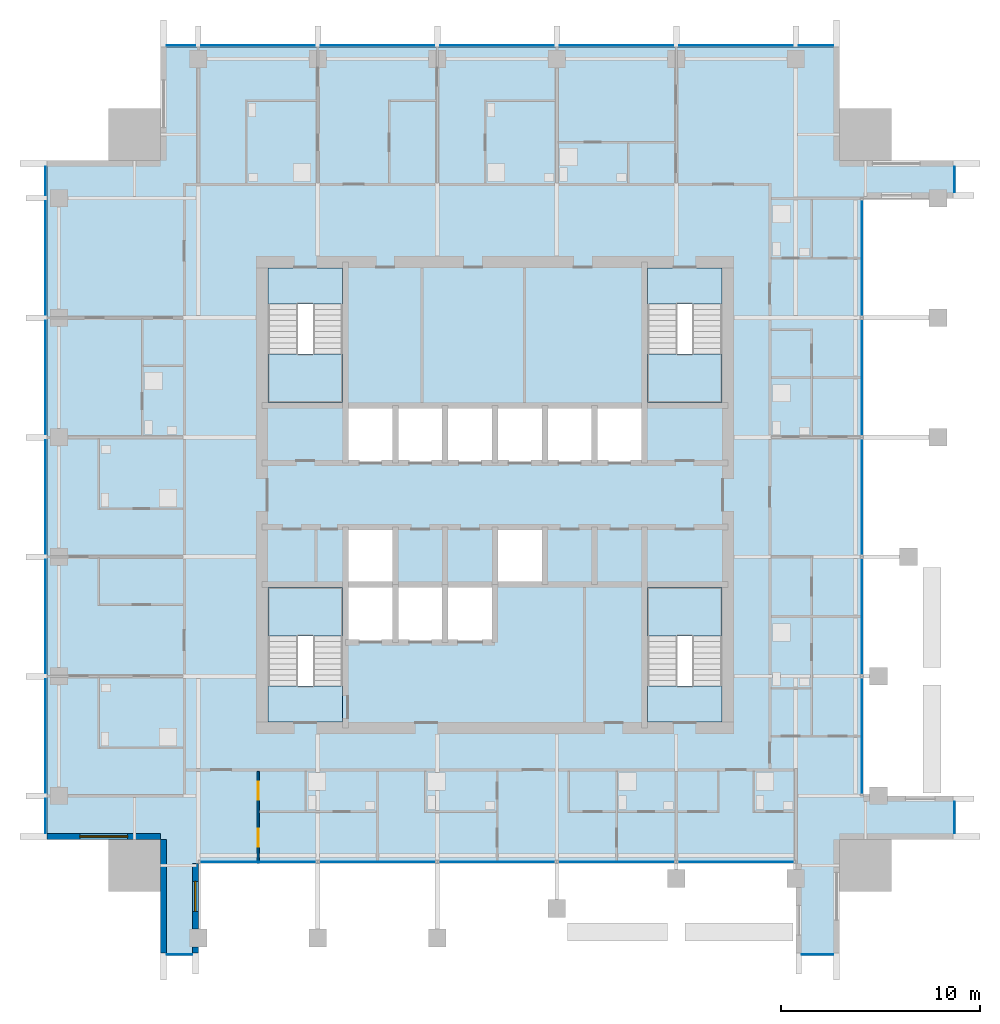
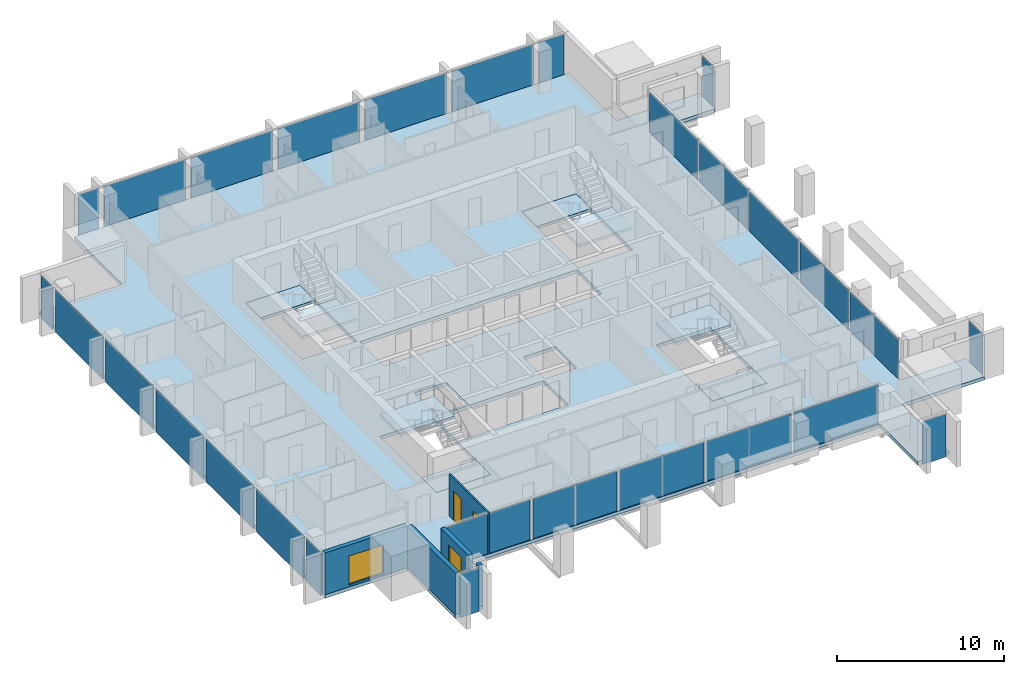
# One storey, part 7 of 14: 28 plates, 9 slabs, 5 walls, 2 doors, 2 windows, 4 openings, 20 elements without a shape of their own.
"""IFC4 building model written with IfcOpenShell, lengths in metres."""

from ifc_helpers import new_model, si_unit, direction, frame, frame_2d, origin, origin_2d, place, context, subcontext, project, spatial, polyline, rectangle, outline, extrude, material, layer, layer_set, type_object, element, fill, aggregate, save


model = new_model("IFC4")

# Units and contexts
model_context = context("Model", 3, precision=1e-05, world=origin(), true_north=direction((0.0, 1.0)))
body_context = subcontext(model_context, "Body", "Model", "MODEL_VIEW")
ifc_project = project(units=[si_unit("LENGTHUNIT", "METRE"), si_unit("AREAUNIT", "SQUARE_METRE"), si_unit("VOLUMEUNIT", "CUBIC_METRE"), si_unit("PLANEANGLEUNIT", "RADIAN"), si_unit("MASSUNIT", "GRAM", prefix="KILO")], contexts=[model_context])

# Site, building, storey
site_placement = place(None, origin())
site = spatial("IfcSite", under=ifc_project, at=site_placement, CompositionType="ELEMENT")
building_placement = place(site_placement, origin())
building = spatial("IfcBuilding", under=site, at=building_placement, Name="Amberfall Residences", CompositionType="ELEMENT")
storey_placement = place(building_placement, frame((0.0, 0.0, 220.0)))
storey = spatial("IfcBuildingStorey", under=building, at=storey_placement, Name="L59", CompositionType="ELEMENT", Elevation=220.0)

# Curtain wall, plate
ifc_material_1 = material(Name="Bronze anodised aluminium and glass", Category="aluminium")
curtain_wall_type_1 = type_object("IfcCurtainWallType", Name="Curtain wall CW1 tower unit", PredefinedType="USERDEFINED", material=ifc_material_1)
curtain_wall_1_placement = place(storey_placement, origin())
curtain_wall_1 = element("IfcCurtainWall", 1, at=curtain_wall_1_placement, inside=storey, type_object=curtain_wall_type_1, Name="Curtain wall L59 S S1", ObjectType="UNITISED CURTAIN WALL", PredefinedType="USERDEFINED")
ifc_material_2 = material(Name="Tinted double glazed unit", Category="glass")
ifc_layer_1 = layer(ifc_material_2, 0.035888671875)
ifc_layer_set_1 = layer_set([ifc_layer_1], Name="CW1 panel 36 glazing")
plate_type_1 = type_object("IfcPlateType", Name="CW1 panel 36 glazing", PredefinedType="CURTAIN_PANEL", material=ifc_layer_set_1)
plate_1_placement = place(storey_placement, frame((58.64990234375, 22.425048828125, -0.25), z_axis=(0.0, 0.0, 1.0), x_axis=(1.0, 0.0, 0.0)))
plate_1 = element("IfcPlate", 2, at=plate_1_placement, type_object=plate_type_1, Name="CW1 panel 1.1", PredefinedType="CURTAIN_PANEL", context=body_context, shape_type="SweptSolid", body=[
    extrude(rectangle(XDim=1.27587890625, YDim=0.035888671875, at=origin_2d()), origin(), (0.0, 0.0, 1.0), 3.14990234375),
])
aggregate(curtain_wall_1, [plate_1])

curtain_wall_2_placement = place(storey_placement, origin())
curtain_wall_2 = element("IfcCurtainWall", 3, at=curtain_wall_2_placement, inside=storey, type_object=curtain_wall_type_1, Name="Curtain wall L59 S S9", ObjectType="UNITISED CURTAIN WALL", PredefinedType="USERDEFINED")
plate_2_placement = place(storey_placement, frame((90.699951171875, 22.425048828125, -0.25), z_axis=(0.0, 0.0, 1.0), x_axis=(1.0, 0.0, 0.0)))
plate_2 = element("IfcPlate", 4, at=plate_2_placement, type_object=plate_type_1, Name="CW1 panel 1.1", PredefinedType="CURTAIN_PANEL", context=body_context, shape_type="SweptSolid", body=[
    extrude(rectangle(XDim=1.575927734375, YDim=0.035888671875, at=origin_2d()), origin(), (0.0, 0.0, 1.0), 3.14990234375),
])
aggregate(curtain_wall_2, [plate_2])

curtain_wall_3_placement = place(storey_placement, origin())
curtain_wall_3 = element("IfcCurtainWall", 5, at=curtain_wall_3_placement, inside=storey, type_object=curtain_wall_type_1, Name="Curtain wall L59 E E1", ObjectType="UNITISED CURTAIN WALL", PredefinedType="USERDEFINED")
plate_3_placement = place(storey_placement, frame((97.574951171875, 29.300048828125, -0.25), z_axis=(0.0, 0.0, 1.0), x_axis=(0.0, 1.0, 0.0)))
plate_3 = element("IfcPlate", 6, at=plate_3_placement, type_object=plate_type_1, Name="CW1 panel 1.1", PredefinedType="CURTAIN_PANEL", context=body_context, shape_type="SweptSolid", body=[
    extrude(rectangle(XDim=1.575927734375, YDim=0.035888671875, at=origin_2d()), origin(), (0.0, 0.0, 1.0), 3.14990234375),
])
aggregate(curtain_wall_3, [plate_3])

curtain_wall_4_placement = place(storey_placement, origin())
curtain_wall_4 = element("IfcCurtainWall", 7, at=curtain_wall_4_placement, inside=storey, type_object=curtain_wall_type_1, Name="Curtain wall L59 E E9", ObjectType="UNITISED CURTAIN WALL", PredefinedType="USERDEFINED")
plate_4_placement = place(storey_placement, frame((97.574951171875, 61.35009765625, -0.25), z_axis=(0.0, 0.0, 1.0), x_axis=(0.0, 1.0, 0.0)))
plate_4 = element("IfcPlate", 8, at=plate_4_placement, type_object=plate_type_1, Name="CW1 panel 1.1", PredefinedType="CURTAIN_PANEL", context=body_context, shape_type="SweptSolid", body=[
    extrude(rectangle(XDim=1.27587890625, YDim=0.035888671875, at=origin_2d()), origin(), (0.0, 0.0, 1.0), 3.14990234375),
])
aggregate(curtain_wall_4, [plate_4])

# Curtain wall, plates
curtain_wall_5_placement = place(storey_placement, origin())
curtain_wall_5 = element("IfcCurtainWall", 9, at=curtain_wall_5_placement, inside=storey, type_object=curtain_wall_type_1, Name="Curtain wall L59 N N1", ObjectType="UNITISED CURTAIN WALL", PredefinedType="USERDEFINED")
plate_5_placement = place(storey_placement, frame((90.625, 68.074951171875, -0.25), z_axis=(0.0, 0.0, 1.0), x_axis=(-1.0, 0.0, 0.0)))
plate_5 = element("IfcPlate", 10, at=plate_5_placement, type_object=plate_type_1, Name="CW1 panel 1.1", PredefinedType="CURTAIN_PANEL", context=body_context, shape_type="SweptSolid", body=[
    extrude(rectangle(XDim=1.72607421875, YDim=0.035888671875, at=origin_2d()), origin(), (0.0, 0.0, 1.0), 3.14990234375),
])
plate_6_placement = place(storey_placement, frame((86.60009765625, 68.074951171875, -0.25), z_axis=(0.0, 0.0, 1.0), x_axis=(-1.0, 0.0, 0.0)))
plate_6 = element("IfcPlate", 11, at=plate_6_placement, type_object=plate_type_1, Name="CW1 panel 2.1", PredefinedType="CURTAIN_PANEL", context=body_context, shape_type="SweptSolid", body=[
    extrude(rectangle(XDim=5.676025390625, YDim=0.035888671875, at=origin_2d()), origin(), (0.0, 0.0, 1.0), 3.14990234375),
])
plate_7_placement = place(storey_placement, frame((80.60009765625, 68.074951171875, -0.25), z_axis=(0.0, 0.0, 1.0), x_axis=(-1.0, 0.0, 0.0)))
plate_7 = element("IfcPlate", 12, at=plate_7_placement, type_object=plate_type_1, Name="CW1 panel 3.1", PredefinedType="CURTAIN_PANEL", context=body_context, shape_type="SweptSolid", body=[
    extrude(rectangle(XDim=5.676025390625, YDim=0.035888671875, at=origin_2d()), origin(), (0.0, 0.0, 1.0), 3.14990234375),
])
plate_8_placement = place(storey_placement, frame((74.60009765625, 68.074951171875, -0.25), z_axis=(0.0, 0.0, 1.0), x_axis=(-1.0, 0.0, 0.0)))
plate_8 = element("IfcPlate", 13, at=plate_8_placement, type_object=plate_type_1, Name="CW1 panel 4.1", PredefinedType="CURTAIN_PANEL", context=body_context, shape_type="SweptSolid", body=[
    extrude(rectangle(XDim=5.676025390625, YDim=0.035888671875, at=origin_2d()), origin(), (0.0, 0.0, 1.0), 3.14990234375),
])
plate_9_placement = place(storey_placement, frame((68.60009765625, 68.074951171875, -0.25), z_axis=(0.0, 0.0, 1.0), x_axis=(-1.0, 0.0, 0.0)))
plate_9 = element("IfcPlate", 14, at=plate_9_placement, type_object=plate_type_1, Name="CW1 panel 5.1", PredefinedType="CURTAIN_PANEL", context=body_context, shape_type="SweptSolid", body=[
    extrude(rectangle(XDim=5.676025390625, YDim=0.035888671875, at=origin_2d()), origin(), (0.0, 0.0, 1.0), 3.14990234375),
])
plate_10_placement = place(storey_placement, frame((62.60009765625, 68.074951171875, -0.25), z_axis=(0.0, 0.0, 1.0), x_axis=(-1.0, 0.0, 0.0)))
plate_10 = element("IfcPlate", 15, at=plate_10_placement, type_object=plate_type_1, Name="CW1 panel 6.1", PredefinedType="CURTAIN_PANEL", context=body_context, shape_type="SweptSolid", body=[
    extrude(rectangle(XDim=5.676025390625, YDim=0.035888671875, at=origin_2d()), origin(), (0.0, 0.0, 1.0), 3.14990234375),
])
plate_11_placement = place(storey_placement, frame((58.72509765625, 68.074951171875, -0.25), z_axis=(0.0, 0.0, 1.0), x_axis=(-1.0, 0.0, 0.0)))
plate_11 = element("IfcPlate", 16, at=plate_11_placement, type_object=plate_type_1, Name="CW1 panel 7.1", PredefinedType="CURTAIN_PANEL", context=body_context, shape_type="SweptSolid", body=[
    extrude(rectangle(XDim=1.426025390625, YDim=0.035888671875, at=origin_2d()), origin(), (0.0, 0.0, 1.0), 3.14990234375),
])
aggregate(curtain_wall_5, [plate_5, plate_6, plate_7, plate_8, plate_9, plate_10, plate_11])

curtain_wall_6_placement = place(storey_placement, origin())
curtain_wall_6 = element("IfcCurtainWall", 17, at=curtain_wall_6_placement, inside=storey, type_object=curtain_wall_type_1, Name="Curtain wall L59 W W1", ObjectType="UNITISED CURTAIN WALL", PredefinedType="USERDEFINED")
plate_12_placement = place(storey_placement, frame((51.925048828125, 61.27490234375, -0.25), z_axis=(0.0, 0.0, 1.0), x_axis=(0.0, -1.0, 0.0)))
plate_12 = element("IfcPlate", 18, at=plate_12_placement, type_object=plate_type_1, Name="CW1 panel 1.1", PredefinedType="CURTAIN_PANEL", context=body_context, shape_type="SweptSolid", body=[
    extrude(rectangle(XDim=1.426025390625, YDim=0.035888671875, at=origin_2d()), origin(), (0.0, 0.0, 1.0), 3.14990234375),
])
plate_13_placement = place(storey_placement, frame((51.925048828125, 57.39990234375, -0.25), z_axis=(0.0, 0.0, 1.0), x_axis=(0.0, -1.0, 0.0)))
plate_13 = element("IfcPlate", 19, at=plate_13_placement, type_object=plate_type_1, Name="CW1 panel 2.1", PredefinedType="CURTAIN_PANEL", context=body_context, shape_type="SweptSolid", body=[
    extrude(rectangle(XDim=5.676025390625, YDim=0.035888671875, at=origin_2d()), origin(), (0.0, 0.0, 1.0), 3.14990234375),
])
plate_14_placement = place(storey_placement, frame((51.925048828125, 51.39990234375, -0.25), z_axis=(0.0, 0.0, 1.0), x_axis=(0.0, -1.0, 0.0)))
plate_14 = element("IfcPlate", 20, at=plate_14_placement, type_object=plate_type_1, Name="CW1 panel 3.1", PredefinedType="CURTAIN_PANEL", context=body_context, shape_type="SweptSolid", body=[
    extrude(rectangle(XDim=5.676025390625, YDim=0.035888671875, at=origin_2d()), origin(), (0.0, 0.0, 1.0), 3.14990234375),
])
plate_15_placement = place(storey_placement, frame((51.925048828125, 45.39990234375, -0.25), z_axis=(0.0, 0.0, 1.0), x_axis=(0.0, -1.0, 0.0)))
plate_15 = element("IfcPlate", 21, at=plate_15_placement, type_object=plate_type_1, Name="CW1 panel 4.1", PredefinedType="CURTAIN_PANEL", context=body_context, shape_type="SweptSolid", body=[
    extrude(rectangle(XDim=5.676025390625, YDim=0.035888671875, at=origin_2d()), origin(), (0.0, 0.0, 1.0), 3.14990234375),
])
plate_16_placement = place(storey_placement, frame((51.925048828125, 39.39990234375, -0.25), z_axis=(0.0, 0.0, 1.0), x_axis=(0.0, -1.0, 0.0)))
plate_16 = element("IfcPlate", 22, at=plate_16_placement, type_object=plate_type_1, Name="CW1 panel 5.1", PredefinedType="CURTAIN_PANEL", context=body_context, shape_type="SweptSolid", body=[
    extrude(rectangle(XDim=5.676025390625, YDim=0.035888671875, at=origin_2d()), origin(), (0.0, 0.0, 1.0), 3.14990234375),
])
plate_17_placement = place(storey_placement, frame((51.925048828125, 33.39990234375, -0.25), z_axis=(0.0, 0.0, 1.0), x_axis=(0.0, -1.0, 0.0)))
plate_17 = element("IfcPlate", 23, at=plate_17_placement, type_object=plate_type_1, Name="CW1 panel 6.1", PredefinedType="CURTAIN_PANEL", context=body_context, shape_type="SweptSolid", body=[
    extrude(rectangle(XDim=5.676025390625, YDim=0.035888671875, at=origin_2d()), origin(), (0.0, 0.0, 1.0), 3.14990234375),
])
plate_18_placement = place(storey_placement, frame((51.925048828125, 29.375, -0.25), z_axis=(0.0, 0.0, 1.0), x_axis=(0.0, -1.0, 0.0)))
plate_18 = element("IfcPlate", 24, at=plate_18_placement, type_object=plate_type_1, Name="CW1 panel 7.1", PredefinedType="CURTAIN_PANEL", context=body_context, shape_type="SweptSolid", body=[
    extrude(rectangle(XDim=1.72607421875, YDim=0.035888671875, at=origin_2d()), origin(), (0.0, 0.0, 1.0), 3.14990234375),
])
aggregate(curtain_wall_6, [plate_12, plate_13, plate_14, plate_15, plate_16, plate_17, plate_18])

# Curtain wall, plate
curtain_wall_type_2 = type_object("IfcCurtainWallType", Name="Curtain wall CW3 sky garden glazing", PredefinedType="USERDEFINED", material=ifc_material_1)
curtain_wall_7_placement = place(storey_placement, origin())
curtain_wall_7 = element("IfcCurtainWall", 25, at=curtain_wall_7_placement, inside=storey, type_object=curtain_wall_type_2, Name="Curtain wall L59 S S3", ObjectType="UNITISED CURTAIN WALL", PredefinedType="USERDEFINED")
ifc_material_3 = material(Name="Tinted laminated double glazed unit", Category="glass")
ifc_layer_2 = layer(ifc_material_3, 0.0439453125)
ifc_layer_set_2 = layer_set([ifc_layer_2], Name="CW3 panel 44 glazing")
plate_type_2 = type_object("IfcPlateType", Name="CW3 panel 44 glazing", PredefinedType="CURTAIN_PANEL", material=ifc_layer_set_2)
plate_19_placement = place(storey_placement, frame((62.60009765625, 27.074951171875, 0.0), z_axis=(0.0, 0.0, 1.0), x_axis=(1.0, 0.0, 0.0)))
plate_19 = element("IfcPlate", 26, at=plate_19_placement, type_object=plate_type_2, Name="CW3 panel 1.1", PredefinedType="CURTAIN_PANEL", context=body_context, shape_type="SweptSolid", body=[
    extrude(rectangle(XDim=5.77587890625, YDim=0.0439453125, at=origin_2d()), origin(), (0.0, 0.0, 1.0), 2.89990234375),
])
aggregate(curtain_wall_7, [plate_19])

curtain_wall_8_placement = place(storey_placement, origin())
curtain_wall_8 = element("IfcCurtainWall", 27, at=curtain_wall_8_placement, inside=storey, type_object=curtain_wall_type_2, Name="Curtain wall L59 S S4", ObjectType="UNITISED CURTAIN WALL", PredefinedType="USERDEFINED")
plate_20_placement = place(storey_placement, frame((68.60009765625, 27.074951171875, 0.0), z_axis=(0.0, 0.0, 1.0), x_axis=(1.0, 0.0, 0.0)))
plate_20 = element("IfcPlate", 28, at=plate_20_placement, type_object=plate_type_2, Name="CW3 panel 1.1", PredefinedType="CURTAIN_PANEL", context=body_context, shape_type="SweptSolid", body=[
    extrude(rectangle(XDim=5.77587890625, YDim=0.0439453125, at=origin_2d()), origin(), (0.0, 0.0, 1.0), 2.89990234375),
])
aggregate(curtain_wall_8, [plate_20])

curtain_wall_9_placement = place(storey_placement, origin())
curtain_wall_9 = element("IfcCurtainWall", 29, at=curtain_wall_9_placement, inside=storey, type_object=curtain_wall_type_2, Name="Curtain wall L59 S S5", ObjectType="UNITISED CURTAIN WALL", PredefinedType="USERDEFINED")
plate_21_placement = place(storey_placement, frame((74.60009765625, 27.074951171875, 0.0), z_axis=(0.0, 0.0, 1.0), x_axis=(1.0, 0.0, 0.0)))
plate_21 = element("IfcPlate", 30, at=plate_21_placement, type_object=plate_type_2, Name="CW3 panel 1.1", PredefinedType="CURTAIN_PANEL", context=body_context, shape_type="SweptSolid", body=[
    extrude(rectangle(XDim=5.77587890625, YDim=0.0439453125, at=origin_2d()), origin(), (0.0, 0.0, 1.0), 2.89990234375),
])
aggregate(curtain_wall_9, [plate_21])

curtain_wall_10_placement = place(storey_placement, origin())
curtain_wall_10 = element("IfcCurtainWall", 31, at=curtain_wall_10_placement, inside=storey, type_object=curtain_wall_type_2, Name="Curtain wall L59 S S6", ObjectType="UNITISED CURTAIN WALL", PredefinedType="USERDEFINED")
plate_22_placement = place(storey_placement, frame((80.60009765625, 27.074951171875, 0.0), z_axis=(0.0, 0.0, 1.0), x_axis=(1.0, 0.0, 0.0)))
plate_22 = element("IfcPlate", 32, at=plate_22_placement, type_object=plate_type_2, Name="CW3 panel 1.1", PredefinedType="CURTAIN_PANEL", context=body_context, shape_type="SweptSolid", body=[
    extrude(rectangle(XDim=5.77587890625, YDim=0.0439453125, at=origin_2d()), origin(), (0.0, 0.0, 1.0), 2.89990234375),
])
aggregate(curtain_wall_10, [plate_22])

curtain_wall_11_placement = place(storey_placement, origin())
curtain_wall_11 = element("IfcCurtainWall", 33, at=curtain_wall_11_placement, inside=storey, type_object=curtain_wall_type_2, Name="Curtain wall L59 S S7", ObjectType="UNITISED CURTAIN WALL", PredefinedType="USERDEFINED")
plate_23_placement = place(storey_placement, frame((86.60009765625, 27.074951171875, 0.0), z_axis=(0.0, 0.0, 1.0), x_axis=(1.0, 0.0, 0.0)))
plate_23 = element("IfcPlate", 34, at=plate_23_placement, type_object=plate_type_2, Name="CW3 panel 1.1", PredefinedType="CURTAIN_PANEL", context=body_context, shape_type="SweptSolid", body=[
    extrude(rectangle(XDim=5.77587890625, YDim=0.0439453125, at=origin_2d()), origin(), (0.0, 0.0, 1.0), 2.89990234375),
])
aggregate(curtain_wall_11, [plate_23])

curtain_wall_12_placement = place(storey_placement, origin())
curtain_wall_12 = element("IfcCurtainWall", 35, at=curtain_wall_12_placement, inside=storey, type_object=curtain_wall_type_2, Name="Curtain wall L59 E E3", ObjectType="UNITISED CURTAIN WALL", PredefinedType="USERDEFINED")
plate_24_placement = place(storey_placement, frame((92.925048828125, 33.39990234375, 0.0), z_axis=(0.0, 0.0, 1.0), x_axis=(0.0, 1.0, 0.0)))
plate_24 = element("IfcPlate", 36, at=plate_24_placement, type_object=plate_type_2, Name="CW3 panel 1.1", PredefinedType="CURTAIN_PANEL", context=body_context, shape_type="SweptSolid", body=[
    extrude(rectangle(XDim=5.77587890625, YDim=0.0439453125, at=origin_2d()), origin(), (0.0, 0.0, 1.0), 2.89990234375),
])
aggregate(curtain_wall_12, [plate_24])

curtain_wall_13_placement = place(storey_placement, origin())
curtain_wall_13 = element("IfcCurtainWall", 37, at=curtain_wall_13_placement, inside=storey, type_object=curtain_wall_type_2, Name="Curtain wall L59 E E4", ObjectType="UNITISED CURTAIN WALL", PredefinedType="USERDEFINED")
plate_25_placement = place(storey_placement, frame((92.925048828125, 39.39990234375, 0.0), z_axis=(0.0, 0.0, 1.0), x_axis=(0.0, 1.0, 0.0)))
plate_25 = element("IfcPlate", 38, at=plate_25_placement, type_object=plate_type_2, Name="CW3 panel 1.1", PredefinedType="CURTAIN_PANEL", context=body_context, shape_type="SweptSolid", body=[
    extrude(rectangle(XDim=5.77587890625, YDim=0.0439453125, at=origin_2d()), origin(), (0.0, 0.0, 1.0), 2.89990234375),
])
aggregate(curtain_wall_13, [plate_25])

curtain_wall_14_placement = place(storey_placement, origin())
curtain_wall_14 = element("IfcCurtainWall", 39, at=curtain_wall_14_placement, inside=storey, type_object=curtain_wall_type_2, Name="Curtain wall L59 E E5", ObjectType="UNITISED CURTAIN WALL", PredefinedType="USERDEFINED")
plate_26_placement = place(storey_placement, frame((92.925048828125, 45.39990234375, 0.0), z_axis=(0.0, 0.0, 1.0), x_axis=(0.0, 1.0, 0.0)))
plate_26 = element("IfcPlate", 40, at=plate_26_placement, type_object=plate_type_2, Name="CW3 panel 1.1", PredefinedType="CURTAIN_PANEL", context=body_context, shape_type="SweptSolid", body=[
    extrude(rectangle(XDim=5.77587890625, YDim=0.0439453125, at=origin_2d()), origin(), (0.0, 0.0, 1.0), 2.89990234375),
])
aggregate(curtain_wall_14, [plate_26])

curtain_wall_15_placement = place(storey_placement, origin())
curtain_wall_15 = element("IfcCurtainWall", 41, at=curtain_wall_15_placement, inside=storey, type_object=curtain_wall_type_2, Name="Curtain wall L59 E E6", ObjectType="UNITISED CURTAIN WALL", PredefinedType="USERDEFINED")
plate_27_placement = place(storey_placement, frame((92.925048828125, 51.39990234375, 0.0), z_axis=(0.0, 0.0, 1.0), x_axis=(0.0, 1.0, 0.0)))
plate_27 = element("IfcPlate", 42, at=plate_27_placement, type_object=plate_type_2, Name="CW3 panel 1.1", PredefinedType="CURTAIN_PANEL", context=body_context, shape_type="SweptSolid", body=[
    extrude(rectangle(XDim=5.77587890625, YDim=0.0439453125, at=origin_2d()), origin(), (0.0, 0.0, 1.0), 2.89990234375),
])
aggregate(curtain_wall_15, [plate_27])

curtain_wall_16_placement = place(storey_placement, origin())
curtain_wall_16 = element("IfcCurtainWall", 43, at=curtain_wall_16_placement, inside=storey, type_object=curtain_wall_type_2, Name="Curtain wall L59 E E7", ObjectType="UNITISED CURTAIN WALL", PredefinedType="USERDEFINED")
plate_28_placement = place(storey_placement, frame((92.925048828125, 57.39990234375, 0.0), z_axis=(0.0, 0.0, 1.0), x_axis=(0.0, 1.0, 0.0)))
plate_28 = element("IfcPlate", 44, at=plate_28_placement, type_object=plate_type_2, Name="CW3 panel 1.1", PredefinedType="CURTAIN_PANEL", context=body_context, shape_type="SweptSolid", body=[
    extrude(rectangle(XDim=5.77587890625, YDim=0.0439453125, at=origin_2d()), origin(), (0.0, 0.0, 1.0), 2.89990234375),
])
aggregate(curtain_wall_16, [plate_28])

# Slab
ifc_material_4 = material(Name="Concrete C55", Category="concrete")
ifc_layer_3 = layer(ifc_material_4, 0.25)
ifc_layer_set_3 = layer_set([ifc_layer_3], Name="Floor slab 250 C55")
slab_type_1 = type_object("IfcSlabType", Name="Floor slab 250 C55", PredefinedType="FLOOR", material=ifc_layer_set_3)
slab_1_placement = place(storey_placement, frame((0.0, 0.0, -0.25)))
element("IfcSlab", 45, at=slab_1_placement, inside=storey, type_object=slab_type_1, Name="Floor slab S16 L59", PredefinedType="FLOOR", context=body_context, shape_type="SweptSolid", body=[
    extrude(outline(polyline([(89.60009765625, 22.5), (89.60009765625, 27.0), (83.60009765625, 27.0), (77.60009765625, 27.0), (71.60009765625, 27.0), (65.60009765625, 27.0), (59.60009765625, 27.0), (59.60009765625, 22.5), (57.699951171875, 22.5), (57.699951171875, 28.199951171875), (52.0, 28.199951171875), (52.0, 62.300048828125), (57.699951171875, 62.300048828125), (57.699951171875, 68.0), (91.800048828125, 68.0), (91.800048828125, 62.300048828125), (97.5, 62.300048828125), (97.5, 60.39990234375), (93.0, 60.39990234375), (93.0, 54.39990234375), (93.0, 48.39990234375), (93.0, 42.39990234375), (93.0, 36.39990234375), (93.0, 30.39990234375), (97.5, 30.39990234375), (97.5, 28.199951171875), (91.800048828125, 28.199951171875), (91.800048828125, 22.5), (89.60009765625, 22.5)]), holes=[polyline([(85.89990234375, 34.10009765625), (85.89990234375, 40.85009765625), (82.14990234375, 40.85009765625), (82.14990234375, 34.10009765625), (85.89990234375, 34.10009765625)]), polyline([(85.89990234375, 50.14990234375), (85.89990234375, 56.89990234375), (82.14990234375, 56.89990234375), (82.14990234375, 50.14990234375), (85.89990234375, 50.14990234375)]), polyline([(72.0, 50.0), (69.5, 50.0), (67.0, 50.0), (67.0, 47.10009765625), (69.5, 47.10009765625), (72.0, 47.10009765625), (74.5, 47.10009765625), (77.0, 47.10009765625), (79.5, 47.10009765625), (82.0, 47.10009765625), (82.0, 50.0), (79.5, 50.0), (77.0, 50.0), (74.5, 50.0), (72.0, 50.0)]), polyline([(76.85009765625, 41.14990234375), (76.85009765625, 43.75), (74.64990234375, 43.75), (74.64990234375, 41.14990234375), (76.85009765625, 41.14990234375)]), polyline([(69.5, 41.0), (67.0, 41.0), (67.0, 38.10009765625), (69.5, 38.10009765625), (72.0, 38.10009765625), (74.5, 38.10009765625), (74.5, 41.0), (72.0, 41.0), (69.5, 41.0)]), polyline([(69.35009765625, 41.14990234375), (69.35009765625, 43.75), (67.14990234375, 43.75), (67.14990234375, 41.14990234375), (69.35009765625, 41.14990234375)]), polyline([(66.85009765625, 50.14990234375), (66.85009765625, 56.89990234375), (63.10009765625, 56.89990234375), (63.10009765625, 50.14990234375), (66.85009765625, 50.14990234375)]), polyline([(66.85009765625, 40.85009765625), (63.10009765625, 40.85009765625), (63.10009765625, 34.10009765625), (66.85009765625, 34.10009765625), (66.85009765625, 40.85009765625)])]), origin(), (0.0, 0.0, 1.0), 0.25),
])

# Stair, slabs
ifc_material_5 = material(Name="Concrete C40", Category="concrete")
stair_type = type_object("IfcStairType", Name="Exit stair 20 risers 165.0 mm", PredefinedType="HALF_TURN_STAIR", material=ifc_material_5)
stair_1_placement = place(storey_placement, origin())
stair_1 = element("IfcStair", 46, at=stair_1_placement, inside=storey, type_object=stair_type, Name="L59 Exit stair 1", PredefinedType="HALF_TURN_STAIR")
ifc_layer_4 = layer(ifc_material_5, 0.199951171875)
ifc_layer_set_4 = layer_set([ifc_layer_4], Name="Stair landing 200")
slab_type_2 = type_object("IfcSlabType", Name="Stair landing 200", PredefinedType="LANDING", material=ifc_layer_set_4)
slab_2_placement = place(storey_placement, frame((0.0, 0.0, 1.449951171875)))
slab_2 = element("IfcSlab", 47, at=slab_2_placement, type_object=slab_type_2, Name="ST3 landing 1", PredefinedType="LANDING", context=body_context, shape_type="SweptSolid", body=[
    extrude(outline(polyline([(66.85009765625, 38.419921875), (66.85009765625, 40.85009765625), (63.10009765625, 40.85009765625), (63.10009765625, 38.419921875), (66.85009765625, 38.419921875)])), origin(), (0.0, 0.0, 1.0), 0.199951171875),
])
slab_3_placement = place(storey_placement, frame((0.0, 0.0, -0.199951171875)))
slab_3 = element("IfcSlab", 48, at=slab_3_placement, type_object=slab_type_2, Name="ST3 landing 2", PredefinedType="LANDING", context=body_context, shape_type="SweptSolid", body=[
    extrude(outline(polyline([(66.85009765625, 34.10009765625), (66.85009765625, 35.89990234375), (63.10009765625, 35.89990234375), (63.10009765625, 34.10009765625), (66.85009765625, 34.10009765625)])), origin(), (0.0, 0.0, 1.0), 0.199951171875),
])
aggregate(stair_1, [slab_2, slab_3])

stair_2_placement = place(storey_placement, origin())
stair_2 = element("IfcStair", 49, at=stair_2_placement, inside=storey, type_object=stair_type, Name="L59 Exit stair 2", PredefinedType="HALF_TURN_STAIR")
slab_4_placement = place(storey_placement, frame((0.0, 0.0, 1.449951171875)))
slab_4 = element("IfcSlab", 50, at=slab_4_placement, type_object=slab_type_2, Name="ST3 landing 1", PredefinedType="LANDING", context=body_context, shape_type="SweptSolid", body=[
    extrude(outline(polyline([(85.89990234375, 38.419921875), (85.89990234375, 40.85009765625), (82.14990234375, 40.85009765625), (82.14990234375, 38.419921875), (85.89990234375, 38.419921875)])), origin(), (0.0, 0.0, 1.0), 0.199951171875),
])
slab_5_placement = place(storey_placement, frame((0.0, 0.0, -0.199951171875)))
slab_5 = element("IfcSlab", 51, at=slab_5_placement, type_object=slab_type_2, Name="ST3 landing 2", PredefinedType="LANDING", context=body_context, shape_type="SweptSolid", body=[
    extrude(outline(polyline([(85.89990234375, 34.10009765625), (85.89990234375, 35.89990234375), (82.14990234375, 35.89990234375), (82.14990234375, 34.10009765625), (85.89990234375, 34.10009765625)])), origin(), (0.0, 0.0, 1.0), 0.199951171875),
])
aggregate(stair_2, [slab_4, slab_5])

stair_3_placement = place(storey_placement, origin())
stair_3 = element("IfcStair", 52, at=stair_3_placement, inside=storey, type_object=stair_type, Name="L59 Exit stair 3", PredefinedType="HALF_TURN_STAIR")
slab_6_placement = place(storey_placement, frame((0.0, 0.0, 1.449951171875)))
slab_6 = element("IfcSlab", 53, at=slab_6_placement, type_object=slab_type_2, Name="ST3 landing 1", PredefinedType="LANDING", context=body_context, shape_type="SweptSolid", body=[
    extrude(outline(polyline([(82.14990234375, 52.580078125), (82.14990234375, 50.14990234375), (85.89990234375, 50.14990234375), (85.89990234375, 52.580078125), (82.14990234375, 52.580078125)])), origin(), (0.0, 0.0, 1.0), 0.199951171875),
])
slab_7_placement = place(storey_placement, frame((0.0, 0.0, -0.199951171875)))
slab_7 = element("IfcSlab", 54, at=slab_7_placement, type_object=slab_type_2, Name="ST3 landing 2", PredefinedType="LANDING", context=body_context, shape_type="SweptSolid", body=[
    extrude(outline(polyline([(82.14990234375, 56.89990234375), (82.14990234375, 55.10009765625), (85.89990234375, 55.10009765625), (85.89990234375, 56.89990234375), (82.14990234375, 56.89990234375)])), origin(), (0.0, 0.0, 1.0), 0.199951171875),
])
aggregate(stair_3, [slab_6, slab_7])

stair_4_placement = place(storey_placement, origin())
stair_4 = element("IfcStair", 55, at=stair_4_placement, inside=storey, type_object=stair_type, Name="L59 Exit stair 4", PredefinedType="HALF_TURN_STAIR")
slab_8_placement = place(storey_placement, frame((0.0, 0.0, 1.449951171875)))
slab_8 = element("IfcSlab", 56, at=slab_8_placement, type_object=slab_type_2, Name="ST3 landing 1", PredefinedType="LANDING", context=body_context, shape_type="SweptSolid", body=[
    extrude(outline(polyline([(63.10009765625, 52.580078125), (63.10009765625, 50.14990234375), (66.85009765625, 50.14990234375), (66.85009765625, 52.580078125), (63.10009765625, 52.580078125)])), origin(), (0.0, 0.0, 1.0), 0.199951171875),
])
slab_9_placement = place(storey_placement, frame((0.0, 0.0, -0.199951171875)))
slab_9 = element("IfcSlab", 57, at=slab_9_placement, type_object=slab_type_2, Name="ST3 landing 2", PredefinedType="LANDING", context=body_context, shape_type="SweptSolid", body=[
    extrude(outline(polyline([(63.10009765625, 56.89990234375), (63.10009765625, 55.10009765625), (66.85009765625, 55.10009765625), (66.85009765625, 56.89990234375), (63.10009765625, 56.89990234375)])), origin(), (0.0, 0.0, 1.0), 0.199951171875),
])
aggregate(stair_4, [slab_8, slab_9])

# Wall
ifc_material_6 = material(Name="Pale stone cladding on insulated backing", Category="masonry")
ifc_layer_5 = layer(ifc_material_6, 0.300048828125)
ifc_layer_set_5 = layer_set([ifc_layer_5], Name="Bronze clad wall 300")
wall_type_1 = type_object("IfcWallType", Name="Bronze clad wall 300", PredefinedType="SOLIDWALL", material=ifc_layer_set_5)
wall_1_placement = place(storey_placement, frame((59.449951171875, 22.5, 0.0), z_axis=(0.0, 0.0, 1.0), x_axis=(0.0, 1.0, 0.0)))
element("IfcWall", 58, at=wall_1_placement, inside=storey, type_object=wall_type_1, Name="External wall L59 S", PredefinedType="SOLIDWALL", context=body_context, shape_type="SweptSolid", body=[
    extrude(rectangle(XDim=0.300048828125, YDim=0.300048828125, at=frame_2d((0.14990234375, 0.0))), origin(), (0.0, 0.0, 1.0), 3.050048828125),
])

# Wall, opening, window
wall_2_placement = place(storey_placement, frame((59.449951171875, 23.699951171875, 0.0), z_axis=(0.0, 0.0, 1.0), x_axis=(0.0, 1.0, 0.0)))
wall_2 = element("IfcWall", 59, at=wall_2_placement, inside=storey, type_object=wall_type_1, Name="External wall L59 S", PredefinedType="SOLIDWALL", context=body_context, shape_type="SweptSolid", body=[
    extrude(rectangle(XDim=3.300048828125, YDim=0.300048828125, at=frame_2d((1.64990234375, 0.0))), origin(), (0.0, 0.0, 1.0), 3.050048828125),
])
opening_1_placement = place(wall_2_placement, frame((0.89990234375, 0.0, 0.89990234375)))
opening_1 = element("IfcOpeningElement", 60, at=opening_1_placement, cuts=wall_2, Name="Opening WN1", PredefinedType="OPENING", context=body_context, shape_type="SweptSolid", body=[
    extrude(rectangle(XDim=1.5, YDim=1.5, at=frame_2d((0.75, 0.75))), frame((0.0, 0.159912109375, 0.0), z_axis=(0.0, -1.0, 0.0), x_axis=(1.0, 0.0, 0.0)), (0.0, 0.0, 1.0), 0.320068359375),
])
ifc_material_7 = material(Name="Bronze aluminium framed glazing", Category="aluminium")
window_type_1 = type_object("IfcWindowType", Name="Window 1500 x 1500 bronze", PartitioningType="DOUBLE_PANEL_VERTICAL", PredefinedType="WINDOW", material=ifc_material_7)
window_1_placement = place(opening_1_placement, origin())
window_1 = element("IfcWindow", 61, at=window_1_placement, inside=storey, type_object=window_type_1, Name="Window L59 S", OverallHeight=1.5, OverallWidth=1.5, PartitioningType="DOUBLE_PANEL_VERTICAL", PredefinedType="WINDOW", context=body_context, shape_type="SweptSolid", body=[
    extrude(rectangle(XDim=1.5, YDim=1.5, at=frame_2d((0.75, 0.75))), frame((0.0, 0.030029296875, 0.0), z_axis=(0.0, -1.0, 0.0), x_axis=(1.0, 0.0, 0.0)), (0.0, 0.0, 1.0), 0.06005859375),
])
fill(opening_1, window_1)

wall_3_placement = place(storey_placement, frame((52.0, 28.35009765625, 0.0), z_axis=(0.0, 0.0, 1.0), x_axis=(1.0, 0.0, 0.0)))
wall_3 = element("IfcWall", 62, at=wall_3_placement, inside=storey, type_object=wall_type_1, Name="External wall L59 SW", PredefinedType="SOLIDWALL", context=body_context, shape_type="SweptSolid", body=[
    extrude(rectangle(XDim=5.699951171875, YDim=0.300048828125, at=frame_2d((2.85009765625, 0.0))), origin(), (0.0, 0.0, 1.0), 3.050048828125),
])
opening_2_placement = place(wall_3_placement, frame((1.64990234375, 0.0, 0.14990234375)))
opening_2 = element("IfcOpeningElement", 63, at=opening_2_placement, cuts=wall_3, Name="Opening WN5", PredefinedType="OPENING", context=body_context, shape_type="SweptSolid", body=[
    extrude(rectangle(XDim=2.39990234375, YDim=2.10009765625, at=frame_2d((1.199951171875, 1.050048828125))), frame((0.0, 0.159912109375, 0.0), z_axis=(0.0, -1.0, 0.0), x_axis=(1.0, 0.0, 0.0)), (0.0, 0.0, 1.0), 0.320068359375),
])
window_type_2 = type_object("IfcWindowType", Name="Glazed opening 2400 x 2100 bronze", PartitioningType="DOUBLE_PANEL_VERTICAL", PredefinedType="WINDOW", material=ifc_material_7)
window_2_placement = place(opening_2_placement, origin())
window_2 = element("IfcWindow", 64, at=window_2_placement, inside=storey, type_object=window_type_2, Name="Window L59 SW", OverallHeight=2.10009765625, OverallWidth=2.39990234375, PartitioningType="DOUBLE_PANEL_VERTICAL", PredefinedType="WINDOW", context=body_context, shape_type="SweptSolid", body=[
    extrude(rectangle(XDim=2.39990234375, YDim=2.10009765625, at=frame_2d((1.199951171875, 1.050048828125))), frame((0.0, 0.030029296875, 0.0), z_axis=(0.0, -1.0, 0.0), x_axis=(1.0, 0.0, 0.0)), (0.0, 0.0, 1.0), 0.06005859375),
])
fill(opening_2, window_2)

# Wall
wall_4_placement = place(storey_placement, frame((57.85009765625, 28.199951171875, 0.0), z_axis=(0.0, 0.0, 1.0), x_axis=(0.0, -1.0, 0.0)))
element("IfcWall", 65, at=wall_4_placement, inside=storey, type_object=wall_type_1, Name="External wall L59 SW", PredefinedType="SOLIDWALL", context=body_context, shape_type="SweptSolid", body=[
    extrude(rectangle(XDim=5.699951171875, YDim=0.300048828125, at=frame_2d((2.85009765625, 0.0))), origin(), (0.0, 0.0, 1.0), 3.050048828125),
])

# Wall, openings, doors
ifc_material_8 = material(Name="Gypsum board on metal stud")
ifc_layer_6 = layer(ifc_material_8, 0.10009765625)
ifc_layer_set_6 = layer_set([ifc_layer_6], Name="Flat partition 100")
wall_type_2 = type_object("IfcWallType", Name="Flat partition 100", PredefinedType="PARTITIONING", material=ifc_layer_set_6)
wall_5_placement = place(storey_placement, frame((62.60009765625, 31.625, 0.0), z_axis=(0.0, 0.0, 1.0), x_axis=(0.0, -1.0, 0.0)))
wall_5 = element("IfcWall", 66, at=wall_5_placement, inside=storey, type_object=wall_type_2, Name="Partition 006", PredefinedType="PARTITIONING", context=body_context, shape_type="SweptSolid", body=[
    extrude(rectangle(XDim=4.625, YDim=0.10009765625, at=frame_2d((2.3125, 0.0))), origin(), (0.0, 0.0, 1.0), 3.050048828125),
])
opening_3_placement = place(wall_5_placement, frame((0.52490234375, 0.0, 0.0)))
opening_3 = element("IfcOpeningElement", 67, at=opening_3_placement, cuts=wall_5, Name="Opening D41", PredefinedType="OPENING", context=body_context, shape_type="SweptSolid", body=[
    extrude(rectangle(XDim=0.89990234375, YDim=2.10009765625, at=frame_2d((0.449951171875, 1.050048828125))), frame((0.0, 0.06005859375, 0.0), z_axis=(0.0, -1.0, 0.0), x_axis=(1.0, 0.0, 0.0)), (0.0, 0.0, 1.0), 0.1201171875),
])
opening_4_placement = place(wall_5_placement, frame((2.875, 0.0, 0.0)))
opening_4 = element("IfcOpeningElement", 68, at=opening_4_placement, cuts=wall_5, Name="Opening D41", PredefinedType="OPENING", context=body_context, shape_type="SweptSolid", body=[
    extrude(rectangle(XDim=0.89990234375, YDim=2.10009765625, at=frame_2d((0.449951171875, 1.050048828125))), frame((0.0, 0.06005859375, 0.0), z_axis=(0.0, -1.0, 0.0), x_axis=(1.0, 0.0, 0.0)), (0.0, 0.0, 1.0), 0.1201171875),
])
ifc_material_9 = material(Name="Timber", Category="wood")
door_type = type_object("IfcDoorType", Name="Internal door 900 x 2100", OperationType="SINGLE_SWING_LEFT", PredefinedType="DOOR", material=ifc_material_9)
door_1_placement = place(opening_3_placement, origin())
door_1 = element("IfcDoor", 69, at=door_1_placement, inside=storey, type_object=door_type, Name="Door 5901 kitchen", OperationType="SINGLE_SWING_LEFT", OverallHeight=2.10009765625, OverallWidth=0.89990234375, PredefinedType="DOOR", context=body_context, shape_type="SweptSolid", body=[
    extrude(rectangle(XDim=0.89990234375, YDim=2.10009765625, at=frame_2d((0.449951171875, 1.050048828125))), frame((0.0, 0.02490234375, 0.0), z_axis=(0.0, -1.0, 0.0), x_axis=(1.0, 0.0, 0.0)), (0.0, 0.0, 1.0), 0.050048828125),
])
fill(opening_3, door_1)
door_2_placement = place(opening_4_placement, origin())
door_2 = element("IfcDoor", 70, at=door_2_placement, inside=storey, type_object=door_type, Name="Door 5901 bedroom1", OperationType="SINGLE_SWING_LEFT", OverallHeight=2.10009765625, OverallWidth=0.89990234375, PredefinedType="DOOR", context=body_context, shape_type="SweptSolid", body=[
    extrude(rectangle(XDim=0.89990234375, YDim=2.10009765625, at=frame_2d((0.449951171875, 1.050048828125))), frame((0.0, 0.02490234375, 0.0), z_axis=(0.0, -1.0, 0.0), x_axis=(1.0, 0.0, 0.0)), (0.0, 0.0, 1.0), 0.050048828125),
])
fill(opening_4, door_2)

save(model, "model.ifc")
